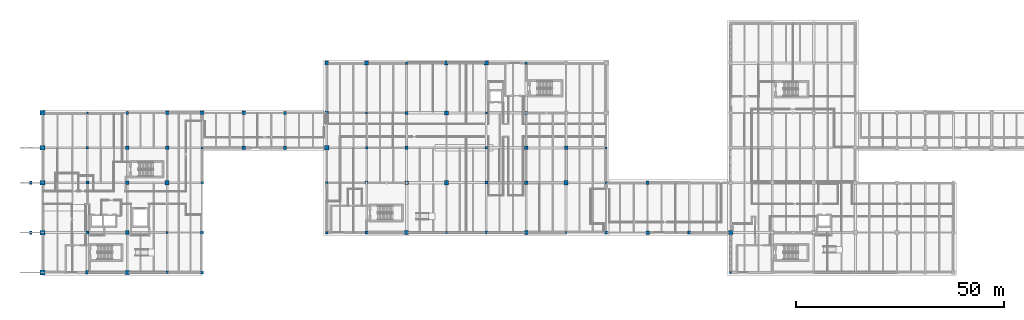
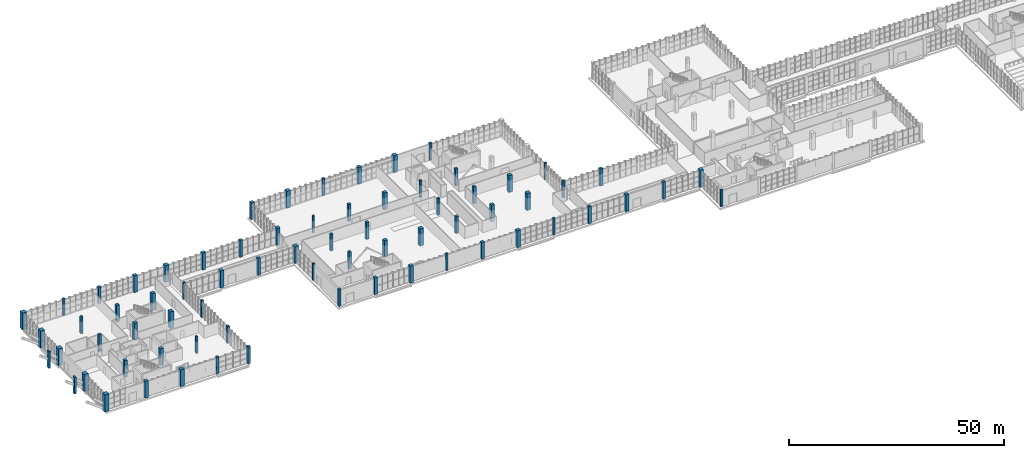
# One storey, part 1 of 121: 71 columns.
"""IFC4 building model written with IfcOpenShell, lengths in metres."""

from ifc_helpers import new_model, si_unit, direction, frame, origin, origin_2d, place, context, subcontext, project, spatial, rectangle, extrude, material, material_profile, profile_set, type_object, element, save


model = new_model("IFC4")

# Units and contexts
model_context = context("Model", 3, precision=1e-05, world=origin(), true_north=direction((0.0, 1.0)))
body_context = subcontext(model_context, "Body", "Model", "MODEL_VIEW")
ifc_project = project(units=[si_unit("LENGTHUNIT", "METRE"), si_unit("AREAUNIT", "SQUARE_METRE"), si_unit("VOLUMEUNIT", "CUBIC_METRE"), si_unit("PLANEANGLEUNIT", "RADIAN"), si_unit("MASSUNIT", "GRAM", prefix="KILO")], contexts=[model_context])

# Site, building, storey
site_placement = place(None, origin())
site = spatial("IfcSite", under=ifc_project, at=site_placement, CompositionType="ELEMENT")
building_placement = place(site_placement, origin())
building = spatial("IfcBuilding", under=site, at=building_placement, Name="Zereglee Splitstone Museum", CompositionType="ELEMENT")
storey_placement = place(building_placement, origin())
storey = spatial("IfcBuildingStorey", under=building, at=storey_placement, Name="L00", CompositionType="ELEMENT", Elevation=0.0)

# Columns
ifc_material = material(Name="Concrete C45/55", Category="concrete")
ifc_material_profile_1 = material_profile(ifc_material, rectangle(XDim=1.0, YDim=1.0, at=origin_2d()), Name="RC 1000x1000")
ifc_profile_set_1 = profile_set([ifc_material_profile_1], Name="Concrete C45/55")
column_type_1 = type_object("IfcColumnType", Name="C-02", PredefinedType="COLUMN", material=ifc_profile_set_1)
for number, where, z_axis, x_axis, name in (
    (1, (30.0, 0.0, 0.0), (0.0, 0.0, 1.0), (1.0, 0.0, 0.0), "Column 5/A L00"),
    (2, (39.60009765625, 21.60009765625, 0.0), (0.0, 0.0, 1.0), (1.0, 0.0, 0.0), "Column 6/C L00"),
    (3, (48.0, 38.39990234375, 0.0), (0.0, 0.0, 1.0), (1.0, 0.0, 0.0), "Column 7/E L00"),
    (4, (78.0, 30.0, 0.0), (0.0, 0.0, 1.0), (1.0, 0.0, 0.0), "Column 10/D L00"),
    (5, (87.60009765625, 50.39990234375, 0.0), (0.0, 0.0, 1.0), (1.0, 0.0, 0.0), "Column 11/F L00"),
    (6, (106.800048828125, 21.60009765625, 0.0), (0.0, 0.0, 1.0), (1.0, 0.0, 0.0), "Column 13/C L00"),
    (7, (116.39990234375, 50.39990234375, 0.0), (0.0, 0.0, 1.0), (1.0, 0.0, 0.0), "Column 14/F L00"),
    (8, (135.60009765625, 21.60009765625, 0.0), (0.0, 0.0, 1.0), (1.0, 0.0, 0.0), "Column 16/C L00"),
    (9, (175.199951171875, 9.60009765625, 0.0), (0.0, 0.0, 1.0), (1.0, 0.0, 0.0), "Column 20/B L00"),
):
    element("IfcColumn", number, at=place(storey_placement, frame(where, z_axis=z_axis, x_axis=x_axis)), inside=storey, type_object=column_type_1, Name=name, PredefinedType="COLUMN", context=body_context, shape_type="SweptSolid", body=[
        extrude(rectangle(XDim=1.0, YDim=1.0, at=origin_2d()), origin(), (0.0, 0.0, 1.0), 4.800048828125),
    ])
ifc_material_profile_2 = material_profile(ifc_material, rectangle(XDim=1.10009765625, YDim=1.10009765625, at=origin_2d()), Name="RC 1100x1100")
ifc_profile_set_2 = profile_set([ifc_material_profile_2], Name="Concrete C45/55")
column_type_2 = type_object("IfcColumnType", Name="C-01", PredefinedType="COLUMN", material=ifc_profile_set_2)
for number, where, z_axis, x_axis, name in (
    (10, (9.60009765625, 0.0, 0.0), (0.0, 0.0, 1.0), (1.0, 0.0, 0.0), "Column 2/A L00"),
    (11, (9.60009765625, 9.60009765625, 0.0), (0.0, 0.0, 1.0), (1.0, 0.0, 0.0), "Column 2/B L00"),
    (12, (9.60009765625, 21.60009765625, 0.0), (0.0, 0.0, 1.0), (1.0, 0.0, 0.0), "Column 2/C L00"),
    (13, (9.60009765625, 30.0, 0.0), (0.0, 0.0, 1.0), (1.0, 0.0, 0.0), "Column 2/D L00"),
    (14, (9.60009765625, 38.39990234375, 0.0), (0.0, 0.0, 1.0), (1.0, 0.0, 0.0), "Column 2/E L00"),
):
    element("IfcColumn", number, at=place(storey_placement, frame(where, z_axis=z_axis, x_axis=x_axis)), inside=storey, type_object=column_type_2, Name=name, PredefinedType="COLUMN", context=body_context, shape_type="SweptSolid", body=[
        extrude(rectangle(XDim=1.10009765625, YDim=1.10009765625, at=origin_2d()), origin(), (0.0, 0.0, 1.0), 4.800048828125),
    ])
ifc_material_profile_3 = material_profile(ifc_material, rectangle(XDim=0.5, YDim=0.5, at=origin_2d()), Name="RC 500x500")
ifc_profile_set_3 = profile_set([ifc_material_profile_3], Name="Concrete C45/55")
column_type_3 = type_object("IfcColumnType", Name="C-08", PredefinedType="COLUMN", material=ifc_profile_set_3)
for number, where, z_axis, x_axis, name in (
    (15, (20.39990234375, 38.39990234375, 0.0), (0.0, 0.0, 1.0), (1.0, 0.0, 0.0), "Column 4/E L00"),
    (16, (39.60009765625, 9.60009765625, 0.0), (0.0, 0.0, 1.0), (1.0, 0.0, 0.0), "Column 6/B L00"),
    (17, (48.0, 30.0, 0.0), (0.0, 0.0, 1.0), (1.0, 0.0, 0.0), "Column 7/D L00"),
    (18, (78.0, 21.60009765625, 0.0), (0.0, 0.0, 1.0), (1.0, 0.0, 0.0), "Column 10/C L00"),
    (19, (87.60009765625, 38.39990234375, 0.0), (0.0, 0.0, 1.0), (1.0, 0.0, 0.0), "Column 11/E L00"),
    (20, (106.800048828125, 9.60009765625, 0.0), (0.0, 0.0, 1.0), (1.0, 0.0, 0.0), "Column 13/B L00"),
    (21, (116.39990234375, 38.39990234375, 0.0), (0.0, 0.0, 1.0), (1.0, 0.0, 0.0), "Column 14/E L00"),
    (22, (135.60009765625, 9.60009765625, 0.0), (0.0, 0.0, 1.0), (1.0, 0.0, 0.0), "Column 16/B L00"),
    (23, (145.199951171875, 30.0, 0.0), (0.0, 0.0, 1.0), (1.0, 0.0, 0.0), "Column 17/D L00"),
    (24, (175.199951171875, 0.0, 0.0), (0.0, 0.0, 1.0), (1.0, 0.0, 0.0), "Column 20/A L00"),
):
    element("IfcColumn", number, at=place(storey_placement, frame(where, z_axis=z_axis, x_axis=x_axis)), inside=storey, type_object=column_type_3, Name=name, PredefinedType="COLUMN", context=body_context, shape_type="SweptSolid", body=[
        extrude(rectangle(XDim=0.5, YDim=0.5, at=origin_2d()), origin(), (0.0, 0.0, 1.0), 4.800048828125),
    ])
ifc_material_profile_4 = material_profile(ifc_material, rectangle(XDim=0.60009765625, YDim=0.60009765625, at=origin_2d()), Name="RC 600x600")
ifc_profile_set_4 = profile_set([ifc_material_profile_4], Name="Concrete C45/55")
column_type_4 = type_object("IfcColumnType", Name="C-07", PredefinedType="COLUMN", material=ifc_profile_set_4)
for number, where, z_axis, x_axis, name in (
    (25, (20.39990234375, 30.0, 0.0), (0.0, 0.0, 1.0), (1.0, 0.0, 0.0), "Column 4/D L00"),
    (26, (39.60009765625, 0.0, 0.0), (0.0, 0.0, 1.0), (1.0, 0.0, 0.0), "Column 6/A L00"),
    (27, (48.0, 21.60009765625, 0.0), (0.0, 0.0, 1.0), (1.0, 0.0, 0.0), "Column 7/C L00"),
    (28, (78.0, 9.60009765625, 0.0), (0.0, 0.0, 1.0), (1.0, 0.0, 0.0), "Column 10/B L00"),
    (29, (87.60009765625, 30.0, 0.0), (0.0, 0.0, 1.0), (1.0, 0.0, 0.0), "Column 11/D L00"),
    (30, (97.199951171875, 50.39990234375, 0.0), (0.0, 0.0, 1.0), (1.0, 0.0, 0.0), "Column 12/F L00"),
    (31, (116.39990234375, 30.0, 0.0), (0.0, 0.0, 1.0), (1.0, 0.0, 0.0), "Column 14/D L00"),
    (32, (126.0, 50.39990234375, 0.0), (0.0, 0.0, 1.0), (1.0, 0.0, 0.0), "Column 15/F L00"),
    (33, (145.199951171875, 21.60009765625, 0.0), (0.0, 0.0, 1.0), (1.0, 0.0, 0.0), "Column 17/C L00"),
):
    element("IfcColumn", number, at=place(storey_placement, frame(where, z_axis=z_axis, x_axis=x_axis)), inside=storey, type_object=column_type_4, Name=name, PredefinedType="COLUMN", context=body_context, shape_type="SweptSolid", body=[
        extrude(rectangle(XDim=0.60009765625, YDim=0.60009765625, at=origin_2d()), origin(), (0.0, 0.0, 1.0), 4.800048828125),
    ])
ifc_material_profile_5 = material_profile(ifc_material, rectangle(XDim=0.699951171875, YDim=0.699951171875, at=origin_2d()), Name="RC 700x700")
ifc_profile_set_5 = profile_set([ifc_material_profile_5], Name="Concrete C45/55")
column_type_5 = type_object("IfcColumnType", Name="C-06", PredefinedType="COLUMN", material=ifc_profile_set_5)
for number, where, z_axis, x_axis, name in (
    (34, (20.39990234375, 21.60009765625, 0.0), (0.0, 0.0, 1.0), (1.0, 0.0, 0.0), "Column 4/C L00"),
    (35, (30.0, 38.39990234375, 0.0), (0.0, 0.0, 1.0), (1.0, 0.0, 0.0), "Column 5/E L00"),
    (36, (48.0, 9.60009765625, 0.0), (0.0, 0.0, 1.0), (1.0, 0.0, 0.0), "Column 7/B L00"),
    (37, (68.0, 38.39990234375, 0.0), (0.0, 0.0, 1.0), (1.0, 0.0, 0.0), "Column 9/E L00"),
    (38, (87.60009765625, 21.60009765625, 0.0), (0.0, 0.0, 1.0), (1.0, 0.0, 0.0), "Column 11/C L00"),
    (39, (97.199951171875, 38.39990234375, 0.0), (0.0, 0.0, 1.0), (1.0, 0.0, 0.0), "Column 12/E L00"),
    (40, (116.39990234375, 21.60009765625, 0.0), (0.0, 0.0, 1.0), (1.0, 0.0, 0.0), "Column 14/C L00"),
    (41, (126.0, 38.39990234375, 0.0), (0.0, 0.0, 1.0), (1.0, 0.0, 0.0), "Column 15/E L00"),
    (42, (145.199951171875, 9.60009765625, 0.0), (0.0, 0.0, 1.0), (1.0, 0.0, 0.0), "Column 17/B L00"),
    (43, (165.199951171875, 9.60009765625, 0.0), (0.0, 0.0, 1.0), (1.0, 0.0, 0.0), "Column 19/B L00"),
):
    element("IfcColumn", number, at=place(storey_placement, frame(where, z_axis=z_axis, x_axis=x_axis)), inside=storey, type_object=column_type_5, Name=name, PredefinedType="COLUMN", context=body_context, shape_type="SweptSolid", body=[
        extrude(rectangle(XDim=0.699951171875, YDim=0.699951171875, at=origin_2d()), origin(), (0.0, 0.0, 1.0), 4.800048828125),
    ])
ifc_material_profile_6 = material_profile(ifc_material, rectangle(XDim=0.75, YDim=0.75, at=origin_2d()), Name="RC 750x750")
ifc_profile_set_6 = profile_set([ifc_material_profile_6], Name="Concrete C45/55")
column_type_6 = type_object("IfcColumnType", Name="C-05", PredefinedType="COLUMN", material=ifc_profile_set_6)
for number, where, z_axis, x_axis, name in (
    (44, (20.39990234375, 9.60009765625, 0.0), (0.0, 0.0, 1.0), (1.0, 0.0, 0.0), "Column 4/B L00"),
    (45, (30.0, 30.0, 0.0), (0.0, 0.0, 1.0), (1.0, 0.0, 0.0), "Column 5/D L00"),
    (46, (48.0, 0.0, 0.0), (0.0, 0.0, 1.0), (1.0, 0.0, 0.0), "Column 7/A L00"),
    (47, (68.0, 30.0, 0.0), (0.0, 0.0, 1.0), (1.0, 0.0, 0.0), "Column 9/D L00"),
    (48, (87.60009765625, 9.60009765625, 0.0), (0.0, 0.0, 1.0), (1.0, 0.0, 0.0), "Column 11/B L00"),
    (49, (97.199951171875, 30.0, 0.0), (0.0, 0.0, 1.0), (1.0, 0.0, 0.0), "Column 12/D L00"),
    (50, (116.39990234375, 9.60009765625, 0.0), (0.0, 0.0, 1.0), (1.0, 0.0, 0.0), "Column 14/B L00"),
    (51, (126.0, 30.0, 0.0), (0.0, 0.0, 1.0), (1.0, 0.0, 0.0), "Column 15/D L00"),
    (52, (155.199951171875, 21.60009765625, 0.0), (0.0, 0.0, 1.0), (1.0, 0.0, 0.0), "Column 18/C L00"),
):
    element("IfcColumn", number, at=place(storey_placement, frame(where, z_axis=z_axis, x_axis=x_axis)), inside=storey, type_object=column_type_6, Name=name, PredefinedType="COLUMN", context=body_context, shape_type="SweptSolid", body=[
        extrude(rectangle(XDim=0.75, YDim=0.75, at=origin_2d()), origin(), (0.0, 0.0, 1.0), 4.800048828125),
    ])
ifc_material_profile_7 = material_profile(ifc_material, rectangle(XDim=0.85009765625, YDim=0.85009765625, at=origin_2d()), Name="RC 850x850")
ifc_profile_set_7 = profile_set([ifc_material_profile_7], Name="Concrete C45/55")
column_type_7 = type_object("IfcColumnType", Name="C-04", PredefinedType="COLUMN", material=ifc_profile_set_7)
for number, where, z_axis, x_axis, name in (
    (53, (20.39990234375, 0.0, 0.0), (0.0, 0.0, 1.0), (1.0, 0.0, 0.0), "Column 4/A L00"),
    (54, (30.0, 21.60009765625, 0.0), (0.0, 0.0, 1.0), (1.0, 0.0, 0.0), "Column 5/C L00"),
    (55, (39.60009765625, 38.39990234375, 0.0), (0.0, 0.0, 1.0), (1.0, 0.0, 0.0), "Column 6/E L00"),
    (56, (58.0, 38.39990234375, 0.0), (0.0, 0.0, 1.0), (1.0, 0.0, 0.0), "Column 8/E L00"),
    (57, (78.0, 50.39990234375, 0.0), (0.0, 0.0, 1.0), (1.0, 0.0, 0.0), "Column 10/F L00"),
    (58, (97.199951171875, 21.60009765625, 0.0), (0.0, 0.0, 1.0), (1.0, 0.0, 0.0), "Column 12/C L00"),
    (59, (106.800048828125, 50.39990234375, 0.0), (0.0, 0.0, 1.0), (1.0, 0.0, 0.0), "Column 13/F L00"),
    (60, (126.0, 21.60009765625, 0.0), (0.0, 0.0, 1.0), (1.0, 0.0, 0.0), "Column 15/C L00"),
    (61, (155.199951171875, 9.60009765625, 0.0), (0.0, 0.0, 1.0), (1.0, 0.0, 0.0), "Column 18/B L00"),
):
    element("IfcColumn", number, at=place(storey_placement, frame(where, z_axis=z_axis, x_axis=x_axis)), inside=storey, type_object=column_type_7, Name=name, PredefinedType="COLUMN", context=body_context, shape_type="SweptSolid", body=[
        extrude(rectangle(XDim=0.85009765625, YDim=0.85009765625, at=origin_2d()), origin(), (0.0, 0.0, 1.0), 4.800048828125),
    ])
ifc_material_profile_8 = material_profile(ifc_material, rectangle(XDim=0.89990234375, YDim=0.89990234375, at=origin_2d()), Name="RC 900x900")
ifc_profile_set_8 = profile_set([ifc_material_profile_8], Name="Concrete C45/55")
column_type_8 = type_object("IfcColumnType", Name="C-03", PredefinedType="COLUMN", material=ifc_profile_set_8)
for number, where, z_axis, x_axis, name in (
    (62, (30.0, 9.60009765625, 0.0), (0.0, 0.0, 1.0), (1.0, 0.0, 0.0), "Column 5/B L00"),
    (63, (39.60009765625, 30.0, 0.0), (0.0, 0.0, 1.0), (1.0, 0.0, 0.0), "Column 6/D L00"),
    (64, (58.0, 30.0, 0.0), (0.0, 0.0, 1.0), (1.0, 0.0, 0.0), "Column 8/D L00"),
    (65, (78.0, 38.39990234375, 0.0), (0.0, 0.0, 1.0), (1.0, 0.0, 0.0), "Column 10/E L00"),
    (66, (97.199951171875, 9.60009765625, 0.0), (0.0, 0.0, 1.0), (1.0, 0.0, 0.0), "Column 12/B L00"),
    (67, (106.800048828125, 38.39990234375, 0.0), (0.0, 0.0, 1.0), (1.0, 0.0, 0.0), "Column 13/E L00"),
    (68, (126.0, 9.60009765625, 0.0), (0.0, 0.0, 1.0), (1.0, 0.0, 0.0), "Column 15/B L00"),
    (69, (135.60009765625, 30.0, 0.0), (0.0, 0.0, 1.0), (1.0, 0.0, 0.0), "Column 16/D L00"),
):
    element("IfcColumn", number, at=place(storey_placement, frame(where, z_axis=z_axis, x_axis=x_axis)), inside=storey, type_object=column_type_8, Name=name, PredefinedType="COLUMN", context=body_context, shape_type="SweptSolid", body=[
        extrude(rectangle(XDim=0.89990234375, YDim=0.89990234375, at=origin_2d()), origin(), (0.0, 0.0, 1.0), 4.800048828125),
    ])
ifc_material_profile_9 = material_profile(ifc_material, rectangle(XDim=0.449951171875, YDim=0.75, at=origin_2d()), Name="RC 450x750")
ifc_profile_set_9 = profile_set([ifc_material_profile_9], Name="Concrete C45/55")
column_type_9 = type_object("IfcColumnType", Name="CP-01", PredefinedType="PILASTER", material=ifc_profile_set_9)
for number, where, z_axis, x_axis, name in (
    (70, (6.800048828125, 9.60009765625, 0.0), (0.0, 0.0, 1.0), (1.0, 0.0, 0.0), "Mughal Guldasta Portal Pilaster G01 L00"),
    (71, (6.800048828125, 21.60009765625, 0.0), (0.0, 0.0, 1.0), (1.0, 0.0, 0.0), "Mughal Guldasta Portal Pilaster G02 L00"),
):
    element("IfcColumn", number, at=place(storey_placement, frame(where, z_axis=z_axis, x_axis=x_axis)), inside=storey, type_object=column_type_9, Name=name, PredefinedType="PILASTER", context=body_context, shape_type="SweptSolid", body=[
        extrude(rectangle(XDim=0.449951171875, YDim=0.75, at=origin_2d()), origin(), (0.0, 0.0, 1.0), 4.800048828125),
    ])

save(model, "model.ifc")
